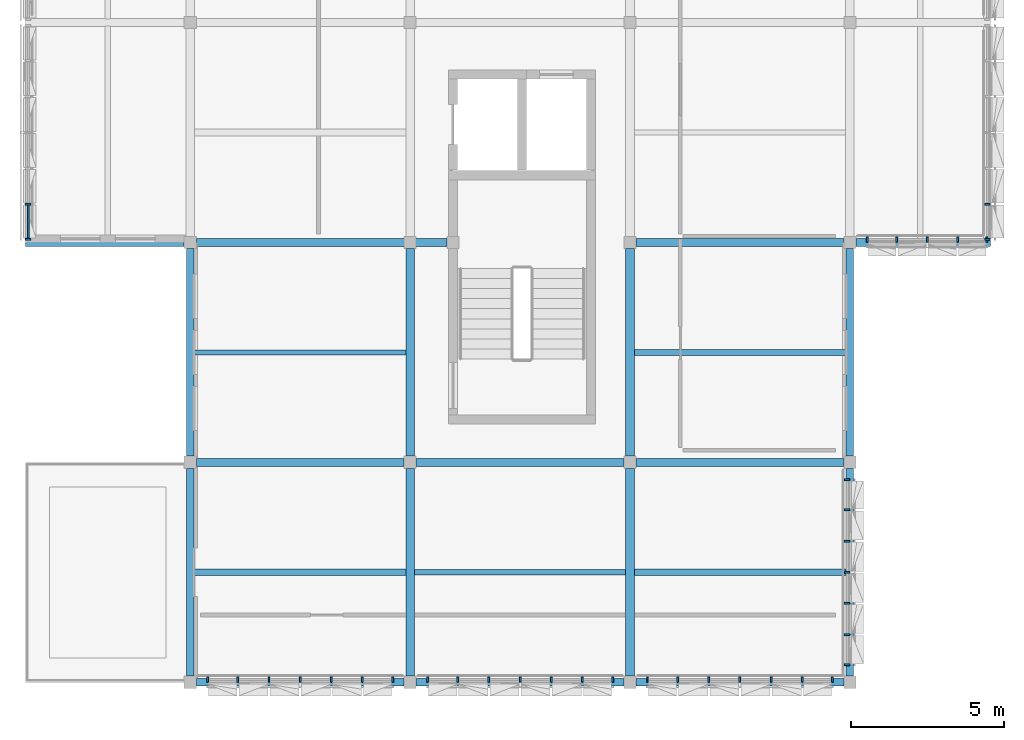
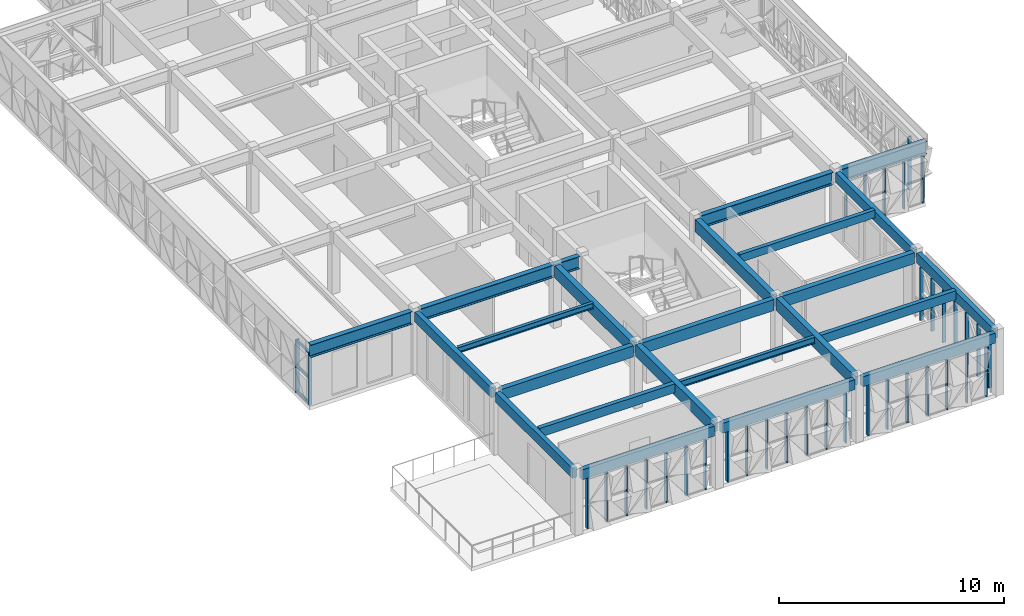
# One storey, part 2 of 25: 40 members, 23 beams, 7 elements without a shape of their own.
"""IFC4 building model written with IfcOpenShell, lengths in metres."""

from ifc_helpers import new_model, si_unit, direction, frame, origin, origin_2d, place, context, subcontext, project, spatial, rectangle, i_section, extrude, material, material_profile, profile_set, type_object, element, aggregate, save


model = new_model("IFC4")

# Units and contexts
model_context = context("Model", 3, precision=1e-05, world=origin(), true_north=direction((0.0, 1.0)))
body_context = subcontext(model_context, "Body", "Model", "MODEL_VIEW")
ifc_project = project(units=[si_unit("LENGTHUNIT", "METRE"), si_unit("AREAUNIT", "SQUARE_METRE"), si_unit("VOLUMEUNIT", "CUBIC_METRE"), si_unit("PLANEANGLEUNIT", "RADIAN"), si_unit("MASSUNIT", "GRAM", prefix="KILO")], contexts=[model_context])

# Site, building, storey
site_placement = place(None, origin())
site = spatial("IfcSite", under=ifc_project, at=site_placement, CompositionType="ELEMENT")
building_placement = place(site_placement, origin())
building = spatial("IfcBuilding", under=site, at=building_placement, Name="Alvorim Cloister Faculty of Sciences", CompositionType="ELEMENT")
storey_placement = place(building_placement, frame((0.0, 0.0, 29.699951171875)))
storey = spatial("IfcBuildingStorey", under=building, at=storey_placement, Name="L08", CompositionType="ELEMENT", Elevation=29.699951171875)

# Beams
ifc_material_1 = material(Name="Glulam GL28h", Category="wood")
ifc_material_profile_1 = material_profile(ifc_material_1, rectangle(XDim=0.260009765625, YDim=0.60009765625, at=origin_2d()), Name="GL28-BM-260x600")
ifc_profile_set_1 = profile_set([ifc_material_profile_1], Name="Glulam GL28h")
beam_type_1 = type_object("IfcBeamType", Name="BM-GL-260x600", PredefinedType="BEAM", material=ifc_profile_set_1)
beam_1_placement = place(storey_placement, frame((7.39990234375, 14.39990234375, 3.10009765625), z_axis=(1.0, 0.0, 0.0), x_axis=(0.0, 1.0, 0.0)))
element("IfcBeam", 1, at=beam_1_placement, inside=storey, type_object=beam_type_1, Name="L08 Primary Beam BM-2172", PredefinedType="BEAM", context=body_context, shape_type="SweptSolid", body=[
    extrude(rectangle(XDim=0.260009765625, YDim=0.60009765625, at=origin_2d()), origin(), (0.0, 0.0, 1.0), 6.800048828125),
])
beam_2_placement = place(storey_placement, frame((14.60009765625, 14.39990234375, 3.090087890625), z_axis=(1.0, 0.0, 0.0), x_axis=(0.0, 1.0, 0.0)))
element("IfcBeam", 2, at=beam_2_placement, inside=storey, type_object=beam_type_1, Name="L08 Primary Beam BM-2173", PredefinedType="BEAM", context=body_context, shape_type="SweptSolid", body=[
    extrude(rectangle(XDim=0.260009765625, YDim=0.60009765625, at=origin_2d()), origin(), (0.0, 0.0, 1.0), 6.7998046875),
])
beam_3_placement = place(storey_placement, frame((21.800048828125, 14.39990234375, 3.10009765625), z_axis=(1.0, 0.0, 0.0), x_axis=(0.0, 1.0, 0.0)))
element("IfcBeam", 3, at=beam_3_placement, inside=storey, type_object=beam_type_1, Name="L08 Primary Beam BM-2174", PredefinedType="BEAM", context=body_context, shape_type="SweptSolid", body=[
    extrude(rectangle(XDim=0.260009765625, YDim=0.60009765625, at=origin_2d()), origin(), (0.0, 0.0, 1.0), 6.800048828125),
])
ifc_material_profile_2 = material_profile(ifc_material_1, rectangle(XDim=0.280029296875, YDim=0.659912109375, at=origin_2d()), Name="GL28-BM-280x660")
ifc_profile_set_2 = profile_set([ifc_material_profile_2], Name="Glulam GL28h")
beam_type_2 = type_object("IfcBeamType", Name="BM-GL-280x660", PredefinedType="BEAM", material=ifc_profile_set_2)
beam_4_placement = place(storey_placement, frame((14.39990234375, 7.39990234375, 3.16015625), z_axis=(0.0, 1.0, 0.0), x_axis=(-1.0, 0.0, 0.0)))
element("IfcBeam", 4, at=beam_4_placement, inside=storey, type_object=beam_type_2, Name="L08 Primary Girder BM-2187", PredefinedType="BEAM", context=body_context, shape_type="SweptSolid", body=[
    extrude(rectangle(XDim=0.280029296875, YDim=0.659912109375, at=origin_2d()), origin(), (0.0, 0.0, 1.0), 6.800048828125),
])
beam_5_placement = place(storey_placement, frame((14.39990234375, 14.60009765625, 3.06005859375), z_axis=(0.0, 1.0, 0.0), x_axis=(-1.0, 0.0, 0.0)))
element("IfcBeam", 5, at=beam_5_placement, inside=storey, type_object=beam_type_2, Name="L08 Primary Girder BM-2188", PredefinedType="BEAM", context=body_context, shape_type="SweptSolid", body=[
    extrude(rectangle(XDim=0.280029296875, YDim=0.659912109375, at=origin_2d()), origin(), (0.0, 0.0, 1.0), 6.7998046875),
])
beam_6_placement = place(storey_placement, frame((21.60009765625, 7.39990234375, 3.16015625), z_axis=(0.0, 1.0, 0.0), x_axis=(-1.0, 0.0, 0.0)))
element("IfcBeam", 6, at=beam_6_placement, inside=storey, type_object=beam_type_2, Name="L08 Primary Girder BM-2194", PredefinedType="BEAM", context=body_context, shape_type="SweptSolid", body=[
    extrude(rectangle(XDim=0.280029296875, YDim=0.659912109375, at=origin_2d()), origin(), (0.0, 0.0, 1.0), 6.800048828125),
])
beam_7_placement = place(storey_placement, frame((21.60009765625, 14.60009765625, 3.06005859375), z_axis=(0.0, 1.0, 0.0), x_axis=(-1.0, 0.0, 0.0)))
element("IfcBeam", 7, at=beam_7_placement, inside=storey, type_object=beam_type_2, Name="L08 Primary Girder BM-2195", PredefinedType="BEAM", context=body_context, shape_type="SweptSolid", body=[
    extrude(rectangle(XDim=0.280029296875, YDim=0.659912109375, at=origin_2d()), origin(), (0.0, 0.0, 1.0), 6.7998046875),
])
ifc_material_profile_3 = material_profile(ifc_material_1, rectangle(XDim=0.199951171875, YDim=0.419921875, at=origin_2d()), Name="GL28-JST-200x420")
ifc_profile_set_3 = profile_set([ifc_material_profile_3], Name="Glulam GL28h")
beam_type_3 = type_object("IfcBeamType", Name="BM-JST-GL-200x420", PredefinedType="JOIST", material=ifc_profile_set_3)
beam_8_placement = place(storey_placement, frame((21.739990234375, 18.0, 3.280029296875), z_axis=(1.0, 0.0, 0.0), x_axis=(0.0, 1.0, 0.0)))
element("IfcBeam", 8, at=beam_8_placement, inside=storey, type_object=beam_type_3, Name="L08 Secondary Floor Joist BM-2220", PredefinedType="JOIST", context=body_context, shape_type="SweptSolid", body=[
    extrude(rectangle(XDim=0.199951171875, YDim=0.419921875, at=origin_2d()), origin(), (0.0, 0.0, 1.0), 6.93994140625),
])
ifc_material_profile_4 = material_profile(ifc_material_1, rectangle(XDim=0.219970703125, YDim=0.47998046875, at=origin_2d()), Name="GL28-JST-220x480")
ifc_profile_set_4 = profile_set([ifc_material_profile_4], Name="Glulam GL28h")
beam_type_4 = type_object("IfcBeamType", Name="BM-JST-GL-220x480", PredefinedType="JOIST", material=ifc_profile_set_4)
for number, where, z_axis, x_axis, name in (
    (9, (7.320068359375, 10.800048828125, 3.25), (1.0, 0.0, 0.0), (0.0, 1.0, 0.0), "L08 Secondary Floor Joist BM-2208"),
    (10, (21.739990234375, 10.800048828125, 3.25), (1.0, 0.0, 0.0), (0.0, 1.0, 0.0), "L08 Secondary Floor Joist BM-2219"),
):
    element("IfcBeam", number, at=place(storey_placement, frame(where, z_axis=z_axis, x_axis=x_axis)), inside=storey, type_object=beam_type_4, Name=name, PredefinedType="JOIST", context=body_context, shape_type="SweptSolid", body=[
        extrude(rectangle(XDim=0.219970703125, YDim=0.47998046875, at=origin_2d()), origin(), (0.0, 0.0, 1.0), 6.93994140625),
    ])
ifc_material_profile_5 = material_profile(ifc_material_1, rectangle(XDim=0.239990234375, YDim=0.5400390625, at=origin_2d()), Name="GL28-SPD-240x540")
ifc_profile_set_5 = profile_set([ifc_material_profile_5], Name="Glulam GL28h")
beam_type_5 = type_object("IfcBeamType", Name="BM-SPD-GL-240x540", PredefinedType="SPANDREL", material=ifc_profile_set_5)
beam_9_placement = place(storey_placement, frame((7.39990234375, 7.199951171875, 3.130126953125), z_axis=(1.0, 0.0, 0.0), x_axis=(0.0, 1.0, 0.0)))
element("IfcBeam", 11, at=beam_9_placement, inside=storey, type_object=beam_type_5, Name="L08 Primary Beam BM-2169", PredefinedType="SPANDREL", context=body_context, shape_type="SweptSolid", body=[
    extrude(rectangle(XDim=0.239990234375, YDim=0.5400390625, at=origin_2d()), origin(), (0.0, 0.0, 1.0), 6.800048828125),
])
beam_10_placement = place(storey_placement, frame((14.60009765625, 7.199951171875, 3.130126953125), z_axis=(1.0, 0.0, 0.0), x_axis=(0.0, 1.0, 0.0)))
element("IfcBeam", 12, at=beam_10_placement, inside=storey, type_object=beam_type_5, Name="L08 Primary Beam BM-2170", PredefinedType="SPANDREL", context=body_context, shape_type="SweptSolid", body=[
    extrude(rectangle(XDim=0.239990234375, YDim=0.5400390625, at=origin_2d()), origin(), (0.0, 0.0, 1.0), 6.7998046875),
])
for number, where, z_axis, x_axis, name in (
    (13, (21.800048828125, 7.199951171875, 3.130126953125), (1.0, 0.0, 0.0), (0.0, 1.0, 0.0), "L08 Primary Beam BM-2171"),
    (14, (7.199951171875, 7.39990234375, 3.130126953125), (0.0, 1.0, 0.0), (-1.0, 0.0, 0.0), "L08 Primary Girder BM-2180"),
):
    element("IfcBeam", number, at=place(storey_placement, frame(where, z_axis=z_axis, x_axis=x_axis)), inside=storey, type_object=beam_type_5, Name=name, PredefinedType="SPANDREL", context=body_context, shape_type="SweptSolid", body=[
        extrude(rectangle(XDim=0.239990234375, YDim=0.5400390625, at=origin_2d()), origin(), (0.0, 0.0, 1.0), 6.800048828125),
    ])
beam_11_placement = place(storey_placement, frame((7.199951171875, 14.60009765625, 3.130126953125), z_axis=(0.0, 1.0, 0.0), x_axis=(-1.0, 0.0, 0.0)))
element("IfcBeam", 15, at=beam_11_placement, inside=storey, type_object=beam_type_5, Name="L08 Primary Girder BM-2181", PredefinedType="SPANDREL", context=body_context, shape_type="SweptSolid", body=[
    extrude(rectangle(XDim=0.239990234375, YDim=0.5400390625, at=origin_2d()), origin(), (0.0, 0.0, 1.0), 6.7998046875),
])
beam_12_placement = place(storey_placement, frame((28.800048828125, 7.39990234375, 3.130126953125), z_axis=(0.0, 1.0, 0.0), x_axis=(-1.0, 0.0, 0.0)))
element("IfcBeam", 16, at=beam_12_placement, inside=storey, type_object=beam_type_5, Name="L08 Primary Girder BM-2201", PredefinedType="SPANDREL", context=body_context, shape_type="SweptSolid", body=[
    extrude(rectangle(XDim=0.239990234375, YDim=0.5400390625, at=origin_2d()), origin(), (0.0, 0.0, 1.0), 6.800048828125),
])
beam_13_placement = place(storey_placement, frame((28.800048828125, 14.60009765625, 3.130126953125), z_axis=(0.0, 1.0, 0.0), x_axis=(-1.0, 0.0, 0.0)))
element("IfcBeam", 17, at=beam_13_placement, inside=storey, type_object=beam_type_5, Name="L08 Primary Girder BM-2202", PredefinedType="SPANDREL", context=body_context, shape_type="SweptSolid", body=[
    extrude(rectangle(XDim=0.239990234375, YDim=0.5400390625, at=origin_2d()), origin(), (0.0, 0.0, 1.0), 6.7998046875),
])
ifc_material_2 = material(Name="Steel ASTM A572 Grade 50", Category="steel")
ifc_material_profile_6 = material_profile(ifc_material_2, i_section(OverallWidth=0.1650390625, OverallDepth=0.31005859375, WebThickness=0.005859375, FlangeThickness=0.009765625, FilletRadius=0.010986328125, at=origin_2d()), Name="W310x38.7")
ifc_profile_set_6 = profile_set([ifc_material_profile_6], Name="Steel ASTM A572 Grade 50")
beam_type_6 = type_object("IfcBeamType", Name="BM-STL-W310", PredefinedType="JOIST", material=ifc_profile_set_6)
beam_14_placement = place(storey_placement, frame((7.320068359375, 18.0, 3.3349609375), z_axis=(1.0, 0.0, 0.0), x_axis=(0.0, 1.0, 0.0)))
element("IfcBeam", 18, at=beam_14_placement, inside=storey, type_object=beam_type_6, Name="L08 Secondary Floor Joist BM-2209", PredefinedType="JOIST", context=body_context, shape_type="SweptSolid", body=[
    extrude(i_section(OverallWidth=0.1650390625, OverallDepth=0.31005859375, WebThickness=0.005859375, FlangeThickness=0.009765625, FilletRadius=0.010986328125, at=origin_2d()), origin(), (0.0, 0.0, 1.0), 6.93994140625),
])
ifc_material_profile_7 = material_profile(ifc_material_2, i_section(OverallWidth=0.1708984375, OverallDepth=0.35498046875, WebThickness=0.007080078125, FlangeThickness=0.01171875, FilletRadius=0.012939453125, at=origin_2d()), Name="W360x51.0")
ifc_profile_set_7 = profile_set([ifc_material_profile_7], Name="Steel ASTM A572 Grade 50")
beam_type_7 = type_object("IfcBeamType", Name="BM-STL-W360", PredefinedType="JOIST", material=ifc_profile_set_7)
beam_15_placement = place(storey_placement, frame((14.5400390625, 10.800048828125, 3.3125), z_axis=(1.0, 0.0, 0.0), x_axis=(0.0, 1.0, 0.0)))
element("IfcBeam", 19, at=beam_15_placement, inside=storey, type_object=beam_type_7, Name="L08 Secondary Floor Joist BM-2215", PredefinedType="JOIST", context=body_context, shape_type="SweptSolid", body=[
    extrude(i_section(OverallWidth=0.1708984375, OverallDepth=0.35498046875, WebThickness=0.007080078125, FlangeThickness=0.01171875, FilletRadius=0.012939453125, at=origin_2d()), origin(), (0.0, 0.0, 1.0), 6.919921875),
])
ifc_material_profile_8 = material_profile(ifc_material_2, i_section(OverallWidth=0.25390625, OverallDepth=0.68408203125, WebThickness=0.012451171875, FlangeThickness=0.01904296875, FilletRadius=0.01904296875, at=origin_2d()), Name="W690x140.0")
ifc_profile_set_8 = profile_set([ifc_material_profile_8], Name="Steel ASTM A572 Grade 50")
beam_type_8 = type_object("IfcBeamType", Name="BM-STL-W690", PredefinedType="BEAM", material=ifc_profile_set_8)
beam_16_placement = place(storey_placement, frame((7.39990234375, 21.60009765625, 3.048095703125), z_axis=(1.0, 0.0, 0.0), x_axis=(0.0, 1.0, 0.0)))
element("IfcBeam", 20, at=beam_16_placement, inside=storey, type_object=beam_type_8, Name="L08 Cantilever Backspan Girder BM-0187", PredefinedType="BEAM", context=body_context, shape_type="SweptSolid", body=[
    extrude(i_section(OverallWidth=0.25390625, OverallDepth=0.68408203125, WebThickness=0.012451171875, FlangeThickness=0.01904296875, FilletRadius=0.01904296875, at=origin_2d()), origin(), (0.0, 0.0, 1.0), 8.2001953125),
])
beam_17_placement = place(storey_placement, frame((1.800048828125, 21.60009765625, 3.05810546875), z_axis=(1.0, 0.0, 0.0), x_axis=(0.0, 1.0, 0.0)))
element("IfcBeam", 21, at=beam_17_placement, inside=storey, type_object=beam_type_8, Name="L08 Cantilever Overhang Girder BM-0188", PredefinedType="BEAM", context=body_context, shape_type="SweptSolid", body=[
    extrude(i_section(OverallWidth=0.25390625, OverallDepth=0.68408203125, WebThickness=0.012451171875, FlangeThickness=0.01904296875, FilletRadius=0.01904296875, at=origin_2d()), origin(), (0.0, 0.0, 1.0), 5.199951171875),
])
beam_18_placement = place(storey_placement, frame((21.800048828125, 21.60009765625, 3.05810546875), z_axis=(1.0, 0.0, 0.0), x_axis=(0.0, 1.0, 0.0)))
element("IfcBeam", 22, at=beam_18_placement, inside=storey, type_object=beam_type_8, Name="L08 Cantilever Backspan Girder BM-0215", PredefinedType="BEAM", context=body_context, shape_type="SweptSolid", body=[
    extrude(i_section(OverallWidth=0.25390625, OverallDepth=0.68408203125, WebThickness=0.012451171875, FlangeThickness=0.01904296875, FilletRadius=0.01904296875, at=origin_2d()), origin(), (0.0, 0.0, 1.0), 6.800048828125),
])
beam_19_placement = place(storey_placement, frame((29.0, 21.60009765625, 3.05810546875), z_axis=(1.0, 0.0, 0.0), x_axis=(0.0, 1.0, 0.0)))
element("IfcBeam", 23, at=beam_19_placement, inside=storey, type_object=beam_type_8, Name="L08 Cantilever Overhang Girder BM-0216", PredefinedType="BEAM", context=body_context, shape_type="SweptSolid", body=[
    extrude(i_section(OverallWidth=0.25390625, OverallDepth=0.68408203125, WebThickness=0.012451171875, FlangeThickness=0.01904296875, FilletRadius=0.01904296875, at=origin_2d()), origin(), (0.0, 0.0, 1.0), 4.39990234375),
])

# Curtain wall, members
ifc_material_3 = material(Name="Aluminium and Low-E Glass Curtain Wall", Category="aluminium")
curtain_wall_type_1 = type_object("IfcCurtainWallType", Name="CW-TRI-7040x2867", PredefinedType="USERDEFINED", material=ifc_material_3)
curtain_wall_1_placement = place(storey_placement, origin())
curtain_wall_1 = element("IfcCurtainWall", 24, at=curtain_wall_1_placement, inside=storey, type_object=curtain_wall_type_1, Name="L08 Diagonal Cassette Curtain Wall CW-0281", ObjectType="UNITISED CURTAIN WALL", PredefinedType="USERDEFINED")
ifc_material_4 = material(Name="Aluminium Alloy 6063-T6", Category="aluminium")
ifc_material_profile_9 = material_profile(ifc_material_4, rectangle(XDim=0.06494140625, YDim=0.179931640625, at=origin_2d()), Name="ALU-MUL-65x180")
ifc_profile_set_9 = profile_set([ifc_material_profile_9], Name="Aluminium Alloy 6063-T6")
member_type_1 = type_object("IfcMemberType", Name="CW-MUL-65x180", PredefinedType="MULLION", material=ifc_profile_set_9)
member_1_placement = place(storey_placement, frame((1.889892578125, 21.71240234375, 0.0), z_axis=(0.0, 0.0, 1.0), x_axis=(0.0, 1.0, 0.0)))
member_1 = element("IfcMember", 25, at=member_1_placement, type_object=member_type_1, Name="CW-0281 Mullion 1", PredefinedType="MULLION", context=body_context, shape_type="SweptSolid", body=[
    extrude(rectangle(XDim=0.06494140625, YDim=0.179931640625, at=origin_2d()), origin(), (0.0, 0.0, 1.0), 2.866943359375),
])
member_2_placement = place(storey_placement, frame((1.889892578125, 22.853271484375, 0.0), z_axis=(0.0, 0.0, 1.0), x_axis=(0.0, 1.0, 0.0)))
member_2 = element("IfcMember", 26, at=member_2_placement, type_object=member_type_1, Name="CW-0281 Mullion 2", PredefinedType="MULLION", context=body_context, shape_type="SweptSolid", body=[
    extrude(rectangle(XDim=0.06494140625, YDim=0.179931640625, at=origin_2d()), origin(), (0.0, 0.0, 1.0), 2.866943359375),
])

curtain_wall_2_placement = place(storey_placement, origin())
curtain_wall_2 = element("IfcCurtainWall", 27, at=curtain_wall_2_placement, inside=storey, type_object=curtain_wall_type_1, Name="L08 Diagonal Cassette Curtain Wall CW-0295", ObjectType="UNITISED CURTAIN WALL", PredefinedType="USERDEFINED")
member_3_placement = place(storey_placement, frame((33.31005859375, 21.71240234375, 0.0), z_axis=(0.0, 0.0, 1.0), x_axis=(0.0, 1.0, 0.0)))
member_3 = element("IfcMember", 28, at=member_3_placement, type_object=member_type_1, Name="CW-0295 Mullion 1", PredefinedType="MULLION", context=body_context, shape_type="SweptSolid", body=[
    extrude(rectangle(XDim=0.06494140625, YDim=0.179931640625, at=origin_2d()), origin(), (0.0, 0.0, 1.0), 2.866943359375),
])
member_4_placement = place(storey_placement, frame((33.31005859375, 22.853271484375, 0.0), z_axis=(0.0, 0.0, 1.0), x_axis=(0.0, 1.0, 0.0)))
member_4 = element("IfcMember", 29, at=member_4_placement, type_object=member_type_1, Name="CW-0295 Mullion 2", PredefinedType="MULLION", context=body_context, shape_type="SweptSolid", body=[
    extrude(rectangle(XDim=0.06494140625, YDim=0.179931640625, at=origin_2d()), origin(), (0.0, 0.0, 1.0), 2.866943359375),
])
aggregate(curtain_wall_2, [member_3, member_4])

curtain_wall_type_2 = type_object("IfcCurtainWallType", Name="CW-TRI-3980x2716", PredefinedType="USERDEFINED", material=ifc_material_3)
curtain_wall_3_placement = place(storey_placement, origin())
curtain_wall_3 = element("IfcCurtainWall", 30, at=curtain_wall_3_placement, inside=storey, type_object=curtain_wall_type_2, Name="L08 Diagonal Cassette Curtain Wall CW-0296", ObjectType="UNITISED CURTAIN WALL", PredefinedType="USERDEFINED")
member_5_placement = place(storey_placement, frame((29.37255859375, 21.68994140625, 0.0), z_axis=(0.0, 0.0, 1.0), x_axis=(1.0, 0.0, 0.0)))
member_5 = element("IfcMember", 31, at=member_5_placement, type_object=member_type_1, Name="CW-0296 Mullion 1", PredefinedType="MULLION", context=body_context, shape_type="SweptSolid", body=[
    extrude(rectangle(XDim=0.06494140625, YDim=0.179931640625, at=origin_2d()), origin(), (0.0, 0.0, 1.0), 2.716064453125),
])
member_6_placement = place(storey_placement, frame((30.3349609375, 21.68994140625, 0.0), z_axis=(0.0, 0.0, 1.0), x_axis=(1.0, 0.0, 0.0)))
member_6 = element("IfcMember", 32, at=member_6_placement, type_object=member_type_1, Name="CW-0296 Mullion 2", PredefinedType="MULLION", context=body_context, shape_type="SweptSolid", body=[
    extrude(rectangle(XDim=0.06494140625, YDim=0.179931640625, at=origin_2d()), origin(), (0.0, 0.0, 1.0), 2.716064453125),
])
member_7_placement = place(storey_placement, frame((31.330078125, 21.68994140625, 0.0), z_axis=(0.0, 0.0, 1.0), x_axis=(1.0, 0.0, 0.0)))
member_7 = element("IfcMember", 33, at=member_7_placement, type_object=member_type_1, Name="CW-0296 Mullion 3", PredefinedType="MULLION", context=body_context, shape_type="SweptSolid", body=[
    extrude(rectangle(XDim=0.06494140625, YDim=0.179931640625, at=origin_2d()), origin(), (0.0, 0.0, 1.0), 2.716064453125),
])
member_8_placement = place(storey_placement, frame((32.324951171875, 21.68994140625, 0.0), z_axis=(0.0, 0.0, 1.0), x_axis=(1.0, 0.0, 0.0)))
member_8 = element("IfcMember", 34, at=member_8_placement, type_object=member_type_1, Name="CW-0296 Mullion 4", PredefinedType="MULLION", context=body_context, shape_type="SweptSolid", body=[
    extrude(rectangle(XDim=0.06494140625, YDim=0.179931640625, at=origin_2d()), origin(), (0.0, 0.0, 1.0), 2.716064453125),
])
member_9_placement = place(storey_placement, frame((33.28759765625, 21.68994140625, 0.0), z_axis=(0.0, 0.0, 1.0), x_axis=(1.0, 0.0, 0.0)))
member_9 = element("IfcMember", 35, at=member_9_placement, type_object=member_type_1, Name="CW-0296 Mullion 5", PredefinedType="MULLION", context=body_context, shape_type="SweptSolid", body=[
    extrude(rectangle(XDim=0.06494140625, YDim=0.179931640625, at=origin_2d()), origin(), (0.0, 0.0, 1.0), 2.716064453125),
])
aggregate(curtain_wall_3, [member_5, member_6, member_7, member_8, member_9])

curtain_wall_type_3 = type_object("IfcCurtainWallType", Name="CW-TRI-6120x2860", PredefinedType="USERDEFINED", material=ifc_material_3)
curtain_wall_4_placement = place(storey_placement, origin())
curtain_wall_4 = element("IfcCurtainWall", 36, at=curtain_wall_4_placement, inside=storey, type_object=curtain_wall_type_3, Name="L08 Diagonal Cassette Curtain Wall CW-0297", ObjectType="UNITISED CURTAIN WALL", PredefinedType="USERDEFINED")
member_10_placement = place(storey_placement, frame((28.7099609375, 7.7724609375, 0.0), z_axis=(0.0, 0.0, 1.0), x_axis=(0.0, 1.0, 0.0)))
member_10 = element("IfcMember", 37, at=member_10_placement, type_object=member_type_1, Name="CW-0297 Mullion 1", PredefinedType="MULLION", context=body_context, shape_type="SweptSolid", body=[
    extrude(rectangle(XDim=0.06494140625, YDim=0.179931640625, at=origin_2d()), origin(), (0.0, 0.0, 1.0), 2.860107421875),
])
member_11_placement = place(storey_placement, frame((28.7099609375, 8.760009765625, 0.0), z_axis=(0.0, 0.0, 1.0), x_axis=(0.0, 1.0, 0.0)))
member_11 = element("IfcMember", 38, at=member_11_placement, type_object=member_type_1, Name="CW-0297 Mullion 2", PredefinedType="MULLION", context=body_context, shape_type="SweptSolid", body=[
    extrude(rectangle(XDim=0.06494140625, YDim=0.179931640625, at=origin_2d()), origin(), (0.0, 0.0, 1.0), 2.860107421875),
])
member_12_placement = place(storey_placement, frame((28.7099609375, 9.780029296875, 0.0), z_axis=(0.0, 0.0, 1.0), x_axis=(0.0, 1.0, 0.0)))
member_12 = element("IfcMember", 39, at=member_12_placement, type_object=member_type_1, Name="CW-0297 Mullion 3", PredefinedType="MULLION", context=body_context, shape_type="SweptSolid", body=[
    extrude(rectangle(XDim=0.06494140625, YDim=0.179931640625, at=origin_2d()), origin(), (0.0, 0.0, 1.0), 2.860107421875),
])
member_13_placement = place(storey_placement, frame((28.7099609375, 10.800048828125, 0.0), z_axis=(0.0, 0.0, 1.0), x_axis=(0.0, 1.0, 0.0)))
member_13 = element("IfcMember", 40, at=member_13_placement, type_object=member_type_1, Name="CW-0297 Mullion 4", PredefinedType="MULLION", context=body_context, shape_type="SweptSolid", body=[
    extrude(rectangle(XDim=0.06494140625, YDim=0.179931640625, at=origin_2d()), origin(), (0.0, 0.0, 1.0), 2.860107421875),
])
member_14_placement = place(storey_placement, frame((28.7099609375, 11.820068359375, 0.0), z_axis=(0.0, 0.0, 1.0), x_axis=(0.0, 1.0, 0.0)))
member_14 = element("IfcMember", 41, at=member_14_placement, type_object=member_type_1, Name="CW-0297 Mullion 5", PredefinedType="MULLION", context=body_context, shape_type="SweptSolid", body=[
    extrude(rectangle(XDim=0.06494140625, YDim=0.179931640625, at=origin_2d()), origin(), (0.0, 0.0, 1.0), 2.860107421875),
])
member_15_placement = place(storey_placement, frame((28.7099609375, 12.840087890625, 0.0), z_axis=(0.0, 0.0, 1.0), x_axis=(0.0, 1.0, 0.0)))
member_15 = element("IfcMember", 42, at=member_15_placement, type_object=member_type_1, Name="CW-0297 Mullion 6", PredefinedType="MULLION", context=body_context, shape_type="SweptSolid", body=[
    extrude(rectangle(XDim=0.06494140625, YDim=0.179931640625, at=origin_2d()), origin(), (0.0, 0.0, 1.0), 2.860107421875),
])
member_16_placement = place(storey_placement, frame((28.7099609375, 13.827392578125, 0.0), z_axis=(0.0, 0.0, 1.0), x_axis=(0.0, 1.0, 0.0)))
member_16 = element("IfcMember", 43, at=member_16_placement, type_object=member_type_1, Name="CW-0297 Mullion 7", PredefinedType="MULLION", context=body_context, shape_type="SweptSolid", body=[
    extrude(rectangle(XDim=0.06494140625, YDim=0.179931640625, at=origin_2d()), origin(), (0.0, 0.0, 1.0), 2.860107421875),
])
aggregate(curtain_wall_4, [member_10, member_11, member_12, member_13, member_14, member_15, member_16])

curtain_wall_5_placement = place(storey_placement, origin())
curtain_wall_5 = element("IfcCurtainWall", 44, at=curtain_wall_5_placement, inside=storey, type_object=curtain_wall_type_3, Name="L08 Diagonal Cassette Curtain Wall CW-0298", ObjectType="UNITISED CURTAIN WALL", PredefinedType="USERDEFINED")
member_17_placement = place(storey_placement, frame((22.172607421875, 7.2900390625, 0.0), z_axis=(0.0, 0.0, 1.0), x_axis=(1.0, 0.0, 0.0)))
member_17 = element("IfcMember", 45, at=member_17_placement, type_object=member_type_1, Name="CW-0298 Mullion 1", PredefinedType="MULLION", context=body_context, shape_type="SweptSolid", body=[
    extrude(rectangle(XDim=0.06494140625, YDim=0.179931640625, at=origin_2d()), origin(), (0.0, 0.0, 1.0), 2.860107421875),
])
member_18_placement = place(storey_placement, frame((23.159912109375, 7.2900390625, 0.0), z_axis=(0.0, 0.0, 1.0), x_axis=(1.0, 0.0, 0.0)))
member_18 = element("IfcMember", 46, at=member_18_placement, type_object=member_type_1, Name="CW-0298 Mullion 2", PredefinedType="MULLION", context=body_context, shape_type="SweptSolid", body=[
    extrude(rectangle(XDim=0.06494140625, YDim=0.179931640625, at=origin_2d()), origin(), (0.0, 0.0, 1.0), 2.860107421875),
])
member_19_placement = place(storey_placement, frame((24.179931640625, 7.2900390625, 0.0), z_axis=(0.0, 0.0, 1.0), x_axis=(1.0, 0.0, 0.0)))
member_19 = element("IfcMember", 47, at=member_19_placement, type_object=member_type_1, Name="CW-0298 Mullion 3", PredefinedType="MULLION", context=body_context, shape_type="SweptSolid", body=[
    extrude(rectangle(XDim=0.06494140625, YDim=0.179931640625, at=origin_2d()), origin(), (0.0, 0.0, 1.0), 2.860107421875),
])
member_20_placement = place(storey_placement, frame((25.199951171875, 7.2900390625, 0.0), z_axis=(0.0, 0.0, 1.0), x_axis=(1.0, 0.0, 0.0)))
member_20 = element("IfcMember", 48, at=member_20_placement, type_object=member_type_1, Name="CW-0298 Mullion 4", PredefinedType="MULLION", context=body_context, shape_type="SweptSolid", body=[
    extrude(rectangle(XDim=0.06494140625, YDim=0.179931640625, at=origin_2d()), origin(), (0.0, 0.0, 1.0), 2.860107421875),
])
member_21_placement = place(storey_placement, frame((26.219970703125, 7.2900390625, 0.0), z_axis=(0.0, 0.0, 1.0), x_axis=(1.0, 0.0, 0.0)))
member_21 = element("IfcMember", 49, at=member_21_placement, type_object=member_type_1, Name="CW-0298 Mullion 5", PredefinedType="MULLION", context=body_context, shape_type="SweptSolid", body=[
    extrude(rectangle(XDim=0.06494140625, YDim=0.179931640625, at=origin_2d()), origin(), (0.0, 0.0, 1.0), 2.860107421875),
])
member_22_placement = place(storey_placement, frame((27.239990234375, 7.2900390625, 0.0), z_axis=(0.0, 0.0, 1.0), x_axis=(1.0, 0.0, 0.0)))
member_22 = element("IfcMember", 50, at=member_22_placement, type_object=member_type_1, Name="CW-0298 Mullion 6", PredefinedType="MULLION", context=body_context, shape_type="SweptSolid", body=[
    extrude(rectangle(XDim=0.06494140625, YDim=0.179931640625, at=origin_2d()), origin(), (0.0, 0.0, 1.0), 2.860107421875),
])
member_23_placement = place(storey_placement, frame((28.2275390625, 7.2900390625, 0.0), z_axis=(0.0, 0.0, 1.0), x_axis=(1.0, 0.0, 0.0)))
member_23 = element("IfcMember", 51, at=member_23_placement, type_object=member_type_1, Name="CW-0298 Mullion 7", PredefinedType="MULLION", context=body_context, shape_type="SweptSolid", body=[
    extrude(rectangle(XDim=0.06494140625, YDim=0.179931640625, at=origin_2d()), origin(), (0.0, 0.0, 1.0), 2.860107421875),
])
aggregate(curtain_wall_5, [member_17, member_18, member_19, member_20, member_21, member_22, member_23])

curtain_wall_6_placement = place(storey_placement, origin())
curtain_wall_6 = element("IfcCurtainWall", 52, at=curtain_wall_6_placement, inside=storey, type_object=curtain_wall_type_3, Name="L08 Diagonal Cassette Curtain Wall CW-0299", ObjectType="UNITISED CURTAIN WALL", PredefinedType="USERDEFINED")
member_24_placement = place(storey_placement, frame((14.972412109375, 7.2900390625, 0.0), z_axis=(0.0, 0.0, 1.0), x_axis=(1.0, 0.0, 0.0)))
member_24 = element("IfcMember", 53, at=member_24_placement, type_object=member_type_1, Name="CW-0299 Mullion 1", PredefinedType="MULLION", context=body_context, shape_type="SweptSolid", body=[
    extrude(rectangle(XDim=0.06494140625, YDim=0.179931640625, at=origin_2d()), origin(), (0.0, 0.0, 1.0), 2.860107421875),
])
member_25_placement = place(storey_placement, frame((15.9599609375, 7.2900390625, 0.0), z_axis=(0.0, 0.0, 1.0), x_axis=(1.0, 0.0, 0.0)))
member_25 = element("IfcMember", 54, at=member_25_placement, type_object=member_type_1, Name="CW-0299 Mullion 2", PredefinedType="MULLION", context=body_context, shape_type="SweptSolid", body=[
    extrude(rectangle(XDim=0.06494140625, YDim=0.179931640625, at=origin_2d()), origin(), (0.0, 0.0, 1.0), 2.860107421875),
])
member_26_placement = place(storey_placement, frame((16.97998046875, 7.2900390625, 0.0), z_axis=(0.0, 0.0, 1.0), x_axis=(1.0, 0.0, 0.0)))
member_26 = element("IfcMember", 55, at=member_26_placement, type_object=member_type_1, Name="CW-0299 Mullion 3", PredefinedType="MULLION", context=body_context, shape_type="SweptSolid", body=[
    extrude(rectangle(XDim=0.06494140625, YDim=0.179931640625, at=origin_2d()), origin(), (0.0, 0.0, 1.0), 2.860107421875),
])
member_27_placement = place(storey_placement, frame((18.0, 7.2900390625, 0.0), z_axis=(0.0, 0.0, 1.0), x_axis=(1.0, 0.0, 0.0)))
member_27 = element("IfcMember", 56, at=member_27_placement, type_object=member_type_1, Name="CW-0299 Mullion 4", PredefinedType="MULLION", context=body_context, shape_type="SweptSolid", body=[
    extrude(rectangle(XDim=0.06494140625, YDim=0.179931640625, at=origin_2d()), origin(), (0.0, 0.0, 1.0), 2.860107421875),
])
member_28_placement = place(storey_placement, frame((19.02001953125, 7.2900390625, 0.0), z_axis=(0.0, 0.0, 1.0), x_axis=(1.0, 0.0, 0.0)))
member_28 = element("IfcMember", 57, at=member_28_placement, type_object=member_type_1, Name="CW-0299 Mullion 5", PredefinedType="MULLION", context=body_context, shape_type="SweptSolid", body=[
    extrude(rectangle(XDim=0.06494140625, YDim=0.179931640625, at=origin_2d()), origin(), (0.0, 0.0, 1.0), 2.860107421875),
])
member_29_placement = place(storey_placement, frame((20.0400390625, 7.2900390625, 0.0), z_axis=(0.0, 0.0, 1.0), x_axis=(1.0, 0.0, 0.0)))
member_29 = element("IfcMember", 58, at=member_29_placement, type_object=member_type_1, Name="CW-0299 Mullion 6", PredefinedType="MULLION", context=body_context, shape_type="SweptSolid", body=[
    extrude(rectangle(XDim=0.06494140625, YDim=0.179931640625, at=origin_2d()), origin(), (0.0, 0.0, 1.0), 2.860107421875),
])
member_30_placement = place(storey_placement, frame((21.027587890625, 7.2900390625, 0.0), z_axis=(0.0, 0.0, 1.0), x_axis=(1.0, 0.0, 0.0)))
member_30 = element("IfcMember", 59, at=member_30_placement, type_object=member_type_1, Name="CW-0299 Mullion 7", PredefinedType="MULLION", context=body_context, shape_type="SweptSolid", body=[
    extrude(rectangle(XDim=0.06494140625, YDim=0.179931640625, at=origin_2d()), origin(), (0.0, 0.0, 1.0), 2.860107421875),
])
aggregate(curtain_wall_6, [member_24, member_25, member_26, member_27, member_28, member_29, member_30])

curtain_wall_7_placement = place(storey_placement, origin())
curtain_wall_7 = element("IfcCurtainWall", 60, at=curtain_wall_7_placement, inside=storey, type_object=curtain_wall_type_3, Name="L08 Diagonal Cassette Curtain Wall CW-0300", ObjectType="UNITISED CURTAIN WALL", PredefinedType="USERDEFINED")
member_31_placement = place(storey_placement, frame((7.7724609375, 7.2900390625, 0.0), z_axis=(0.0, 0.0, 1.0), x_axis=(1.0, 0.0, 0.0)))
member_31 = element("IfcMember", 61, at=member_31_placement, type_object=member_type_1, Name="CW-0300 Mullion 1", PredefinedType="MULLION", context=body_context, shape_type="SweptSolid", body=[
    extrude(rectangle(XDim=0.06494140625, YDim=0.179931640625, at=origin_2d()), origin(), (0.0, 0.0, 1.0), 2.860107421875),
])
member_32_placement = place(storey_placement, frame((8.760009765625, 7.2900390625, 0.0), z_axis=(0.0, 0.0, 1.0), x_axis=(1.0, 0.0, 0.0)))
member_32 = element("IfcMember", 62, at=member_32_placement, type_object=member_type_1, Name="CW-0300 Mullion 2", PredefinedType="MULLION", context=body_context, shape_type="SweptSolid", body=[
    extrude(rectangle(XDim=0.06494140625, YDim=0.179931640625, at=origin_2d()), origin(), (0.0, 0.0, 1.0), 2.860107421875),
])
member_33_placement = place(storey_placement, frame((9.780029296875, 7.2900390625, 0.0), z_axis=(0.0, 0.0, 1.0), x_axis=(1.0, 0.0, 0.0)))
member_33 = element("IfcMember", 63, at=member_33_placement, type_object=member_type_1, Name="CW-0300 Mullion 3", PredefinedType="MULLION", context=body_context, shape_type="SweptSolid", body=[
    extrude(rectangle(XDim=0.06494140625, YDim=0.179931640625, at=origin_2d()), origin(), (0.0, 0.0, 1.0), 2.860107421875),
])
member_34_placement = place(storey_placement, frame((10.800048828125, 7.2900390625, 0.0), z_axis=(0.0, 0.0, 1.0), x_axis=(1.0, 0.0, 0.0)))
member_34 = element("IfcMember", 64, at=member_34_placement, type_object=member_type_1, Name="CW-0300 Mullion 4", PredefinedType="MULLION", context=body_context, shape_type="SweptSolid", body=[
    extrude(rectangle(XDim=0.06494140625, YDim=0.179931640625, at=origin_2d()), origin(), (0.0, 0.0, 1.0), 2.860107421875),
])
member_35_placement = place(storey_placement, frame((11.820068359375, 7.2900390625, 0.0), z_axis=(0.0, 0.0, 1.0), x_axis=(1.0, 0.0, 0.0)))
member_35 = element("IfcMember", 65, at=member_35_placement, type_object=member_type_1, Name="CW-0300 Mullion 5", PredefinedType="MULLION", context=body_context, shape_type="SweptSolid", body=[
    extrude(rectangle(XDim=0.06494140625, YDim=0.179931640625, at=origin_2d()), origin(), (0.0, 0.0, 1.0), 2.860107421875),
])
member_36_placement = place(storey_placement, frame((12.840087890625, 7.2900390625, 0.0), z_axis=(0.0, 0.0, 1.0), x_axis=(1.0, 0.0, 0.0)))
member_36 = element("IfcMember", 66, at=member_36_placement, type_object=member_type_1, Name="CW-0300 Mullion 6", PredefinedType="MULLION", context=body_context, shape_type="SweptSolid", body=[
    extrude(rectangle(XDim=0.06494140625, YDim=0.179931640625, at=origin_2d()), origin(), (0.0, 0.0, 1.0), 2.860107421875),
])
member_37_placement = place(storey_placement, frame((13.827392578125, 7.2900390625, 0.0), z_axis=(0.0, 0.0, 1.0), x_axis=(1.0, 0.0, 0.0)))
member_37 = element("IfcMember", 67, at=member_37_placement, type_object=member_type_1, Name="CW-0300 Mullion 7", PredefinedType="MULLION", context=body_context, shape_type="SweptSolid", body=[
    extrude(rectangle(XDim=0.06494140625, YDim=0.179931640625, at=origin_2d()), origin(), (0.0, 0.0, 1.0), 2.860107421875),
])
aggregate(curtain_wall_7, [member_31, member_32, member_33, member_34, member_35, member_36, member_37])

# Member
ifc_material_profile_10 = material_profile(ifc_material_4, rectangle(XDim=0.06494140625, YDim=0.139892578125, at=origin_2d()), Name="ALU-TRN-65x140")
ifc_profile_set_10 = profile_set([ifc_material_profile_10], Name="Aluminium Alloy 6063-T6")
member_type_2 = type_object("IfcMemberType", Name="CW-TRN-65x140", PredefinedType="USERDEFINED", material=ifc_profile_set_10)
member_38_placement = place(storey_placement, frame((1.889892578125, 21.7451171875, 0.070068359375), z_axis=(0.0, 1.0, 0.0), x_axis=(-1.0, 0.0, 0.0)))
member_38 = element("IfcMember", 68, at=member_38_placement, type_object=member_type_2, Name="CW-0281 Transom 1.1", ObjectType="TRANSOM", PredefinedType="USERDEFINED", context=body_context, shape_type="SweptSolid", body=[
    extrude(rectangle(XDim=0.06494140625, YDim=0.139892578125, at=origin_2d()), origin(), (0.0, 0.0, 1.0), 1.07568359375),
])

member_39_placement = place(storey_placement, frame((1.889892578125, 21.7451171875, 1.43359375), z_axis=(0.0, 1.0, 0.0), x_axis=(-1.0, 0.0, 0.0)))
member_39 = element("IfcMember", 69, at=member_39_placement, type_object=member_type_2, Name="CW-0281 Transom 1.2", ObjectType="TRANSOM", PredefinedType="USERDEFINED", context=body_context, shape_type="SweptSolid", body=[
    extrude(rectangle(XDim=0.06494140625, YDim=0.139892578125, at=origin_2d()), origin(), (0.0, 0.0, 1.0), 1.07568359375),
])

member_40_placement = place(storey_placement, frame((1.889892578125, 21.7451171875, 2.797119140625), z_axis=(0.0, 1.0, 0.0), x_axis=(-1.0, 0.0, 0.0)))
member_40 = element("IfcMember", 70, at=member_40_placement, type_object=member_type_2, Name="CW-0281 Transom 1.3", ObjectType="TRANSOM", PredefinedType="USERDEFINED", context=body_context, shape_type="SweptSolid", body=[
    extrude(rectangle(XDim=0.06494140625, YDim=0.139892578125, at=origin_2d()), origin(), (0.0, 0.0, 1.0), 1.07568359375),
])

aggregate(curtain_wall_1, [member_1, member_2, member_38, member_39, member_40])

save(model, "model.ifc")
